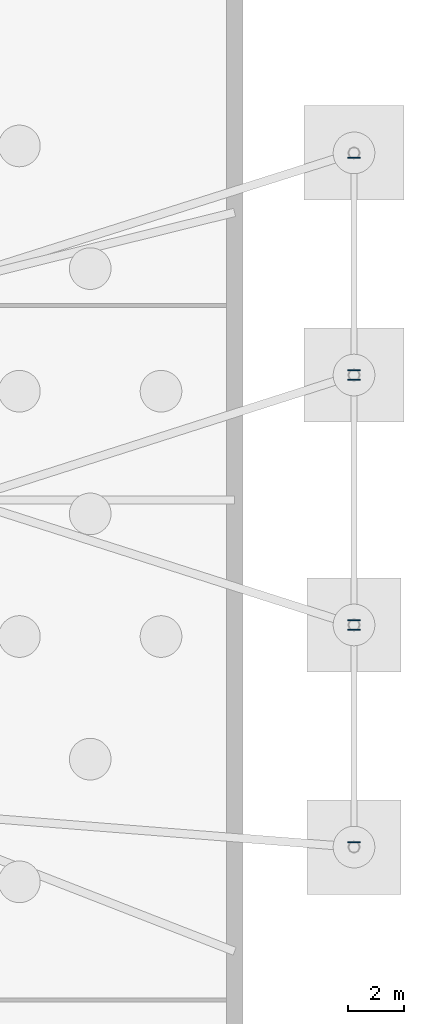
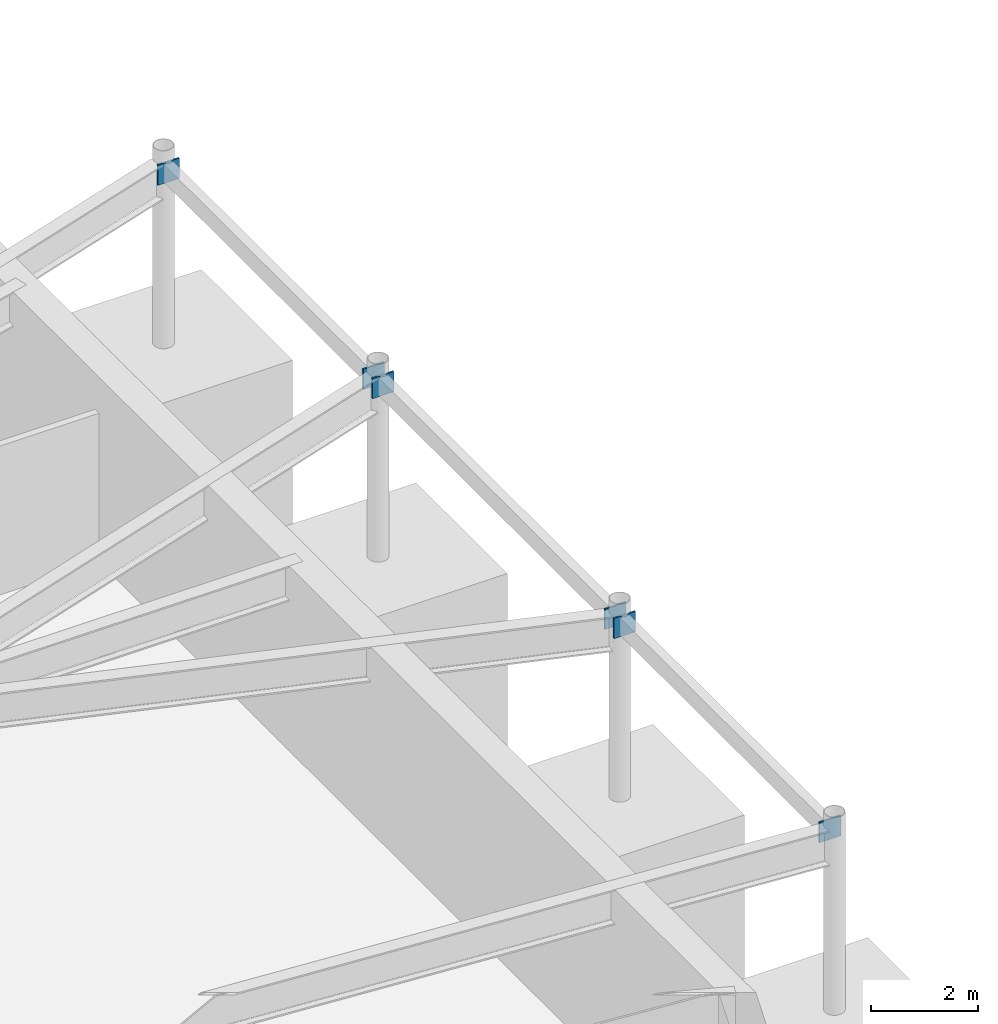
# One storey, part 7 of 18: 6 plates.
"""IFC4 building model written with IfcOpenShell, lengths in metres."""

from ifc_helpers import new_model, si_unit, direction, frame, origin, origin_2d, place, context, subcontext, project, spatial, rectangle, extrude, source, transform, mapped, material, layer, layer_set, type_object, element, save


model = new_model("IFC4")

# Units and contexts
model_context = context("Model", 3, precision=1e-05, world=origin(), true_north=direction((0.0, 1.0)))
body_context = subcontext(model_context, "Body", "Model", "MODEL_VIEW")
ifc_project = project(units=[si_unit("LENGTHUNIT", "METRE"), si_unit("AREAUNIT", "SQUARE_METRE"), si_unit("VOLUMEUNIT", "CUBIC_METRE"), si_unit("PLANEANGLEUNIT", "RADIAN"), si_unit("MASSUNIT", "GRAM", prefix="KILO")], contexts=[model_context])

# Site, building, storey
site_placement = place(None, origin())
site = spatial("IfcSite", under=ifc_project, at=site_placement, CompositionType="ELEMENT")
building_placement = place(site_placement, origin())
building = spatial("IfcBuilding", under=site, at=building_placement, Name="Linh Dai School and Residence Tower", CompositionType="ELEMENT")
storey_placement = place(building_placement, frame((0.0, 0.0, -9.0)))
storey = spatial("IfcBuildingStorey", under=building, at=storey_placement, Name="B02", CompositionType="ELEMENT", Elevation=-9.0)

# Plates
ifc_material = material(Name="Structural Steel S355JR", Category="steel")
ifc_layer = layer(ifc_material, 0.0400390625)
ifc_layer_set = layer_set([ifc_layer], Name="Structural Steel S355JR")
plate_type = type_object("IfcPlateType", Name="PLT-GP1", PredefinedType="USERDEFINED", material=ifc_layer_set)
shared_shape = source(origin(), body_context, "Body", "SweptSolid", [
    extrude(rectangle(XDim=0.4599609375, YDim=0.0400390625, at=origin_2d()), origin(), (0.0, 0.0, 1.0), 0.4599609375),
])
for number, where, z_axis, x_axis, name in (
    (1, (82.0, 14.673095703125, 3.77001953125), (0.0, 0.0, 1.0), (1.0, 0.0, 0.0), "B02 Canopy Beam End Plate 1A"),
    (2, (82.0, 22.326904296875, 3.77001953125), (0.0, 0.0, 1.0), (1.0, 0.0, 0.0), "B02 Canopy Beam End Plate 1B"),
    (3, (82.0, 22.673095703125, 3.77001953125), (0.0, 0.0, 1.0), (1.0, 0.0, 0.0), "B02 Canopy Beam End Plate 2A"),
    (4, (82.0, 31.326904296875, 3.77001953125), (0.0, 0.0, 1.0), (1.0, 0.0, 0.0), "B02 Canopy Beam End Plate 2B"),
    (5, (82.0, 31.673095703125, 3.77001953125), (0.0, 0.0, 1.0), (1.0, 0.0, 0.0), "B02 Canopy Beam End Plate 3A"),
    (6, (82.0, 39.326904296875, 3.77001953125), (0.0, 0.0, 1.0), (1.0, 0.0, 0.0), "B02 Canopy Beam End Plate 3B"),
):
    element("IfcPlate", number, at=place(storey_placement, frame(where, z_axis=z_axis, x_axis=x_axis)), inside=storey, type_object=plate_type, Name=name, ObjectType="GUSSET PLATE", PredefinedType="USERDEFINED", context=body_context, shape_type="MappedRepresentation", body=[
        mapped(shared_shape, transform((0.0, 0.0, 0.0), x_axis=(1.0, 0.0, 0.0), y_axis=(0.0, 1.0, 0.0), z_axis=(0.0, 0.0, 1.0), scale=1.0)),
    ])

save(model, "model.ifc")
